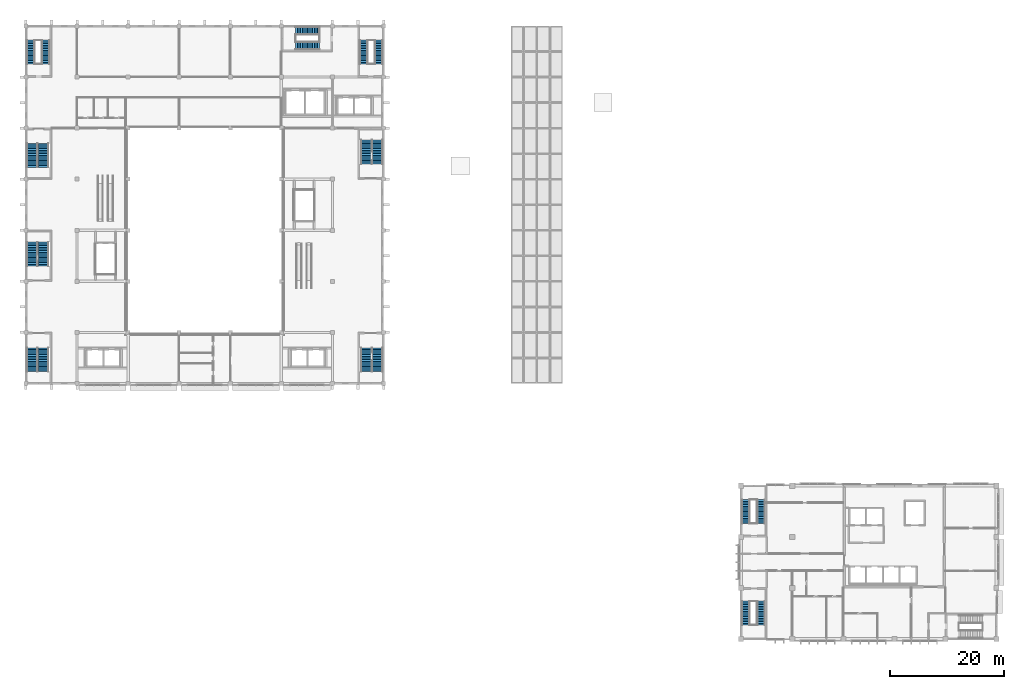
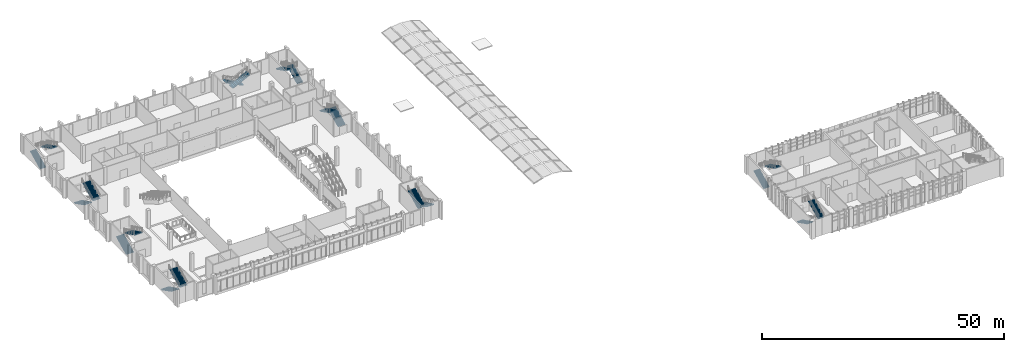
# One storey, part 34 of 45: 20 stair flights, 10 elements without a shape of their own.
"""IFC4 building model written with IfcOpenShell, lengths in metres."""

from ifc_helpers import new_model, si_unit, direction, frame, origin, place, context, subcontext, project, spatial, polyline, outline, extrude, material, type_object, element, aggregate, save


model = new_model("IFC4")

# Units and contexts
model_context = context("Model", 3, precision=1e-05, world=origin(), true_north=direction((0.0, 1.0)))
body_context = subcontext(model_context, "Body", "Model", "MODEL_VIEW")
ifc_project = project(units=[si_unit("LENGTHUNIT", "METRE"), si_unit("AREAUNIT", "SQUARE_METRE"), si_unit("VOLUMEUNIT", "CUBIC_METRE"), si_unit("PLANEANGLEUNIT", "RADIAN"), si_unit("MASSUNIT", "GRAM", prefix="KILO")], contexts=[model_context])

# Site, building, storey
site_placement = place(None, origin())
site = spatial("IfcSite", under=ifc_project, at=site_placement, CompositionType="ELEMENT")
building_placement = place(site_placement, origin())
building = spatial("IfcBuilding", under=site, at=building_placement, Name="Guidao Yard Department Store", CompositionType="ELEMENT")
storey_placement = place(building_placement, frame((0.0, 0.0, 19.5)))
storey = spatial("IfcBuildingStorey", under=building, at=storey_placement, Name="L04", CompositionType="ELEMENT", Elevation=19.5)

# Stair, stair flights
ifc_material_1 = material(Name="Concrete C35", Category="concrete")
stair_type_1 = type_object("IfcStairType", Name="Stair half-turn two-flight 1400 wide 4.5 m rise", PredefinedType="HALF_TURN_STAIR", material=ifc_material_1)
stair_1_placement = place(storey_placement, origin())
stair_1 = element("IfcStair", 1, at=stair_1_placement, inside=storey, type_object=stair_type_1, Name="Stair A5 L04 to L05", PredefinedType="HALF_TURN_STAIR")
ifc_material_2 = material(Name="Concrete C35", Category="concrete")
stair_flight_type_1 = type_object("IfcStairFlightType", Name="Stair flight RC straight 1400 wide 15 risers x 300 going C35", PredefinedType="STRAIGHT", material=ifc_material_2)
stair_flight_1_placement = place(storey_placement, frame((0.824951171875, 101.300048828125, 0.0), z_axis=(0.0, 0.0, 1.0), x_axis=(0.0, 1.0, 0.0)))
stair_flight_1 = element("IfcStairFlight", 2, at=stair_flight_1_placement, type_object=stair_flight_type_1, Name="SA5-L04 flight 1", NumberOfRisers=15, NumberOfTreads=14, PredefinedType="STRAIGHT", RiserHeight=0.15, TreadLength=0.3, context=body_context, shape_type="SweptSolid", body=[
    extrude(outline(polyline([(0.0, 0.0), (0.0, 0.14990234375), (0.300048828125, 0.14990234375), (0.300048828125, 0.300048828125), (0.60009765625, 0.300048828125), (0.60009765625, 0.449951171875), (0.89990234375, 0.449951171875), (0.89990234375, 0.60009765625), (1.199951171875, 0.60009765625), (1.199951171875, 0.75), (1.5, 0.75), (1.5, 0.89990234375), (1.800048828125, 0.89990234375), (1.800048828125, 1.050048828125), (2.10009765625, 1.050048828125), (2.10009765625, 1.199951171875), (2.39990234375, 1.199951171875), (2.39990234375, 1.35009765625), (2.699951171875, 1.35009765625), (2.699951171875, 1.5), (3.0, 1.5), (3.0, 1.64990234375), (3.300048828125, 1.64990234375), (3.300048828125, 1.800048828125), (3.60009765625, 1.800048828125), (3.60009765625, 1.949951171875), (3.89990234375, 1.949951171875), (3.89990234375, 2.10009765625), (4.199951171875, 2.10009765625), (4.199951171875, 2.25), (4.199951171875, 1.932373046875), (0.335205078125, 0.0), (0.0, 0.0)])), frame((0.0, 0.699951171875, 0.0), z_axis=(0.0, -1.0, 0.0), x_axis=(1.0, 0.0, 0.0)), (0.0, 0.0, 1.0), 1.39990234375),
])
stair_flight_2_placement = place(storey_placement, frame((3.5, 105.5, 2.25), z_axis=(0.0, 0.0, 1.0), x_axis=(0.0, -1.0, 0.0)))
stair_flight_2 = element("IfcStairFlight", 3, at=stair_flight_2_placement, type_object=stair_flight_type_1, Name="SA5-L04 flight 2", NumberOfRisers=15, NumberOfTreads=14, PredefinedType="STRAIGHT", RiserHeight=0.15, TreadLength=0.3, context=body_context, shape_type="SweptSolid", body=[
    extrude(outline(polyline([(0.0, 0.0), (0.0, 0.14990234375), (0.300048828125, 0.14990234375), (0.300048828125, 0.300048828125), (0.60009765625, 0.300048828125), (0.60009765625, 0.449951171875), (0.89990234375, 0.449951171875), (0.89990234375, 0.60009765625), (1.199951171875, 0.60009765625), (1.199951171875, 0.75), (1.5, 0.75), (1.5, 0.89990234375), (1.800048828125, 0.89990234375), (1.800048828125, 1.050048828125), (2.10009765625, 1.050048828125), (2.10009765625, 1.199951171875), (2.39990234375, 1.199951171875), (2.39990234375, 1.35009765625), (2.699951171875, 1.35009765625), (2.699951171875, 1.5), (3.0, 1.5), (3.0, 1.64990234375), (3.300048828125, 1.64990234375), (3.300048828125, 1.800048828125), (3.60009765625, 1.800048828125), (3.60009765625, 1.949951171875), (3.89990234375, 1.949951171875), (3.89990234375, 2.10009765625), (4.199951171875, 2.10009765625), (4.199951171875, 2.25), (4.199951171875, 1.932373046875), (0.335205078125, 0.0), (0.0, 0.0)])), frame((0.0, 0.699951171875, 0.0), z_axis=(0.0, -1.0, 0.0), x_axis=(1.0, 0.0, 0.0)), (0.0, 0.0, 1.0), 1.39990234375),
])
aggregate(stair_1, [stair_flight_1, stair_flight_2])

stair_2_placement = place(storey_placement, origin())
stair_2 = element("IfcStair", 4, at=stair_2_placement, inside=storey, type_object=stair_type_1, Name="Stair A6 L04 to L05", PredefinedType="HALF_TURN_STAIR")
stair_flight_3_placement = place(storey_placement, frame((62.175048828125, 101.300048828125, 0.0), z_axis=(0.0, 0.0, 1.0), x_axis=(0.0, 1.0, 0.0)))
stair_flight_3 = element("IfcStairFlight", 5, at=stair_flight_3_placement, type_object=stair_flight_type_1, Name="SA6-L04 flight 1", NumberOfRisers=15, NumberOfTreads=14, PredefinedType="STRAIGHT", RiserHeight=0.15, TreadLength=0.3, context=body_context, shape_type="SweptSolid", body=[
    extrude(outline(polyline([(0.0, 0.0), (0.0, 0.14990234375), (0.300048828125, 0.14990234375), (0.300048828125, 0.300048828125), (0.60009765625, 0.300048828125), (0.60009765625, 0.449951171875), (0.89990234375, 0.449951171875), (0.89990234375, 0.60009765625), (1.199951171875, 0.60009765625), (1.199951171875, 0.75), (1.5, 0.75), (1.5, 0.89990234375), (1.800048828125, 0.89990234375), (1.800048828125, 1.050048828125), (2.10009765625, 1.050048828125), (2.10009765625, 1.199951171875), (2.39990234375, 1.199951171875), (2.39990234375, 1.35009765625), (2.699951171875, 1.35009765625), (2.699951171875, 1.5), (3.0, 1.5), (3.0, 1.64990234375), (3.300048828125, 1.64990234375), (3.300048828125, 1.800048828125), (3.60009765625, 1.800048828125), (3.60009765625, 1.949951171875), (3.89990234375, 1.949951171875), (3.89990234375, 2.10009765625), (4.199951171875, 2.10009765625), (4.199951171875, 2.25), (4.199951171875, 1.932373046875), (0.335205078125, 0.0), (0.0, 0.0)])), frame((0.0, 0.699951171875, 0.0), z_axis=(0.0, -1.0, 0.0), x_axis=(1.0, 0.0, 0.0)), (0.0, 0.0, 1.0), 1.39990234375),
])
stair_flight_4_placement = place(storey_placement, frame((59.5, 105.5, 2.25), z_axis=(0.0, 0.0, 1.0), x_axis=(0.0, -1.0, 0.0)))
stair_flight_4 = element("IfcStairFlight", 6, at=stair_flight_4_placement, type_object=stair_flight_type_1, Name="SA6-L04 flight 2", NumberOfRisers=15, NumberOfTreads=14, PredefinedType="STRAIGHT", RiserHeight=0.15, TreadLength=0.3, context=body_context, shape_type="SweptSolid", body=[
    extrude(outline(polyline([(0.0, 0.0), (0.0, 0.14990234375), (0.300048828125, 0.14990234375), (0.300048828125, 0.300048828125), (0.60009765625, 0.300048828125), (0.60009765625, 0.449951171875), (0.89990234375, 0.449951171875), (0.89990234375, 0.60009765625), (1.199951171875, 0.60009765625), (1.199951171875, 0.75), (1.5, 0.75), (1.5, 0.89990234375), (1.800048828125, 0.89990234375), (1.800048828125, 1.050048828125), (2.10009765625, 1.050048828125), (2.10009765625, 1.199951171875), (2.39990234375, 1.199951171875), (2.39990234375, 1.35009765625), (2.699951171875, 1.35009765625), (2.699951171875, 1.5), (3.0, 1.5), (3.0, 1.64990234375), (3.300048828125, 1.64990234375), (3.300048828125, 1.800048828125), (3.60009765625, 1.800048828125), (3.60009765625, 1.949951171875), (3.89990234375, 1.949951171875), (3.89990234375, 2.10009765625), (4.199951171875, 2.10009765625), (4.199951171875, 2.25), (4.199951171875, 1.932373046875), (0.335205078125, 0.0), (0.0, 0.0)])), frame((0.0, 0.699951171875, 0.0), z_axis=(0.0, -1.0, 0.0), x_axis=(1.0, 0.0, 0.0)), (0.0, 0.0, 1.0), 1.39990234375),
])
aggregate(stair_2, [stair_flight_3, stair_flight_4])

stair_3_placement = place(storey_placement, origin())
stair_3 = element("IfcStair", 7, at=stair_3_placement, inside=storey, type_object=stair_type_1, Name="Stair A7 L04 to L05", PredefinedType="HALF_TURN_STAIR")
stair_flight_5_placement = place(storey_placement, frame((51.699951171875, 107.175048828125, 0.0), z_axis=(0.0, 0.0, 1.0), x_axis=(-1.0, 0.0, 0.0)))
stair_flight_5 = element("IfcStairFlight", 8, at=stair_flight_5_placement, type_object=stair_flight_type_1, Name="SA7-L04 flight 1", NumberOfRisers=15, NumberOfTreads=14, PredefinedType="STRAIGHT", RiserHeight=0.15, TreadLength=0.3, context=body_context, shape_type="SweptSolid", body=[
    extrude(outline(polyline([(0.0, 0.0), (0.0, 0.14990234375), (0.300048828125, 0.14990234375), (0.300048828125, 0.300048828125), (0.60009765625, 0.300048828125), (0.60009765625, 0.449951171875), (0.89990234375, 0.449951171875), (0.89990234375, 0.60009765625), (1.199951171875, 0.60009765625), (1.199951171875, 0.75), (1.5, 0.75), (1.5, 0.89990234375), (1.800048828125, 0.89990234375), (1.800048828125, 1.050048828125), (2.10009765625, 1.050048828125), (2.10009765625, 1.199951171875), (2.39990234375, 1.199951171875), (2.39990234375, 1.35009765625), (2.699951171875, 1.35009765625), (2.699951171875, 1.5), (3.0, 1.5), (3.0, 1.64990234375), (3.300048828125, 1.64990234375), (3.300048828125, 1.800048828125), (3.60009765625, 1.800048828125), (3.60009765625, 1.949951171875), (3.89990234375, 1.949951171875), (3.89990234375, 2.10009765625), (4.199951171875, 2.10009765625), (4.199951171875, 2.25), (4.199951171875, 1.932373046875), (0.335205078125, 0.0), (0.0, 0.0)])), frame((0.0, 0.699951171875, 0.0), z_axis=(0.0, -1.0, 0.0), x_axis=(1.0, 0.0, 0.0)), (0.0, 0.0, 1.0), 1.39990234375),
])
stair_flight_6_placement = place(storey_placement, frame((47.5, 104.5, 2.25), z_axis=(0.0, 0.0, 1.0), x_axis=(1.0, 0.0, 0.0)))
stair_flight_6 = element("IfcStairFlight", 9, at=stair_flight_6_placement, type_object=stair_flight_type_1, Name="SA7-L04 flight 2", NumberOfRisers=15, NumberOfTreads=14, PredefinedType="STRAIGHT", RiserHeight=0.15, TreadLength=0.3, context=body_context, shape_type="SweptSolid", body=[
    extrude(outline(polyline([(0.0, 0.0), (0.0, 0.14990234375), (0.300048828125, 0.14990234375), (0.300048828125, 0.300048828125), (0.60009765625, 0.300048828125), (0.60009765625, 0.449951171875), (0.89990234375, 0.449951171875), (0.89990234375, 0.60009765625), (1.199951171875, 0.60009765625), (1.199951171875, 0.75), (1.5, 0.75), (1.5, 0.89990234375), (1.800048828125, 0.89990234375), (1.800048828125, 1.050048828125), (2.10009765625, 1.050048828125), (2.10009765625, 1.199951171875), (2.39990234375, 1.199951171875), (2.39990234375, 1.35009765625), (2.699951171875, 1.35009765625), (2.699951171875, 1.5), (3.0, 1.5), (3.0, 1.64990234375), (3.300048828125, 1.64990234375), (3.300048828125, 1.800048828125), (3.60009765625, 1.800048828125), (3.60009765625, 1.949951171875), (3.89990234375, 1.949951171875), (3.89990234375, 2.10009765625), (4.199951171875, 2.10009765625), (4.199951171875, 2.25), (4.199951171875, 1.932373046875), (0.335205078125, 0.0), (0.0, 0.0)])), frame((0.0, 0.699951171875, 0.0), z_axis=(0.0, -1.0, 0.0), x_axis=(1.0, 0.0, 0.0)), (0.0, 0.0, 1.0), 1.39990234375),
])
aggregate(stair_3, [stair_flight_5, stair_flight_6])

stair_4_placement = place(storey_placement, origin())
stair_4 = element("IfcStair", 10, at=stair_4_placement, inside=storey, type_object=stair_type_1, Name="Stair O1 L04 to L05", PredefinedType="HALF_TURN_STAIR")
stair_flight_7_placement = place(storey_placement, frame((126.824951171875, 6.64990234375, 0.0), z_axis=(0.0, 0.0, 1.0), x_axis=(0.0, -1.0, 0.0)))
stair_flight_7 = element("IfcStairFlight", 11, at=stair_flight_7_placement, type_object=stair_flight_type_1, Name="SO1-L04 flight 1", NumberOfRisers=15, NumberOfTreads=14, PredefinedType="STRAIGHT", RiserHeight=0.15, TreadLength=0.3, context=body_context, shape_type="SweptSolid", body=[
    extrude(outline(polyline([(0.0, 0.0), (0.0, 0.14990234375), (0.300048828125, 0.14990234375), (0.300048828125, 0.300048828125), (0.60009765625, 0.300048828125), (0.60009765625, 0.449951171875), (0.89990234375, 0.449951171875), (0.89990234375, 0.60009765625), (1.199951171875, 0.60009765625), (1.199951171875, 0.75), (1.5, 0.75), (1.5, 0.89990234375), (1.800048828125, 0.89990234375), (1.800048828125, 1.050048828125), (2.10009765625, 1.050048828125), (2.10009765625, 1.199951171875), (2.39990234375, 1.199951171875), (2.39990234375, 1.35009765625), (2.699951171875, 1.35009765625), (2.699951171875, 1.5), (3.0, 1.5), (3.0, 1.64990234375), (3.300048828125, 1.64990234375), (3.300048828125, 1.800048828125), (3.60009765625, 1.800048828125), (3.60009765625, 1.949951171875), (3.89990234375, 1.949951171875), (3.89990234375, 2.10009765625), (4.199951171875, 2.10009765625), (4.199951171875, 2.25), (4.199951171875, 1.932373046875), (0.335205078125, 0.0), (0.0, 0.0)])), frame((0.0, 0.699951171875, 0.0), z_axis=(0.0, -1.0, 0.0), x_axis=(1.0, 0.0, 0.0)), (0.0, 0.0, 1.0), 1.39990234375),
])
stair_flight_8_placement = place(storey_placement, frame((129.5, 2.449951171875, 2.25), z_axis=(0.0, 0.0, 1.0), x_axis=(0.0, 1.0, 0.0)))
stair_flight_8 = element("IfcStairFlight", 12, at=stair_flight_8_placement, type_object=stair_flight_type_1, Name="SO1-L04 flight 2", NumberOfRisers=15, NumberOfTreads=14, PredefinedType="STRAIGHT", RiserHeight=0.15, TreadLength=0.3, context=body_context, shape_type="SweptSolid", body=[
    extrude(outline(polyline([(0.0, 0.0), (0.0, 0.14990234375), (0.300048828125, 0.14990234375), (0.300048828125, 0.300048828125), (0.60009765625, 0.300048828125), (0.60009765625, 0.449951171875), (0.89990234375, 0.449951171875), (0.89990234375, 0.60009765625), (1.199951171875, 0.60009765625), (1.199951171875, 0.75), (1.5, 0.75), (1.5, 0.89990234375), (1.800048828125, 0.89990234375), (1.800048828125, 1.050048828125), (2.10009765625, 1.050048828125), (2.10009765625, 1.199951171875), (2.39990234375, 1.199951171875), (2.39990234375, 1.35009765625), (2.699951171875, 1.35009765625), (2.699951171875, 1.5), (3.0, 1.5), (3.0, 1.64990234375), (3.300048828125, 1.64990234375), (3.300048828125, 1.800048828125), (3.60009765625, 1.800048828125), (3.60009765625, 1.949951171875), (3.89990234375, 1.949951171875), (3.89990234375, 2.10009765625), (4.199951171875, 2.10009765625), (4.199951171875, 2.25), (4.199951171875, 1.932373046875), (0.335205078125, 0.0), (0.0, 0.0)])), frame((0.0, 0.699951171875, 0.0), z_axis=(0.0, -1.0, 0.0), x_axis=(1.0, 0.0, 0.0)), (0.0, 0.0, 1.0), 1.39990234375),
])
aggregate(stair_4, [stair_flight_7, stair_flight_8])

stair_5_placement = place(storey_placement, origin())
stair_5 = element("IfcStair", 13, at=stair_5_placement, inside=storey, type_object=stair_type_1, Name="Stair O3 L04 to L05", PredefinedType="HALF_TURN_STAIR")
stair_flight_9_placement = place(storey_placement, frame((126.824951171875, 20.35009765625, 0.0), z_axis=(0.0, 0.0, 1.0), x_axis=(0.0, 1.0, 0.0)))
stair_flight_9 = element("IfcStairFlight", 14, at=stair_flight_9_placement, type_object=stair_flight_type_1, Name="SO3-L04 flight 1", NumberOfRisers=15, NumberOfTreads=14, PredefinedType="STRAIGHT", RiserHeight=0.15, TreadLength=0.3, context=body_context, shape_type="SweptSolid", body=[
    extrude(outline(polyline([(0.0, 0.0), (0.0, 0.14990234375), (0.300048828125, 0.14990234375), (0.300048828125, 0.300048828125), (0.60009765625, 0.300048828125), (0.60009765625, 0.449951171875), (0.89990234375, 0.449951171875), (0.89990234375, 0.60009765625), (1.199951171875, 0.60009765625), (1.199951171875, 0.75), (1.5, 0.75), (1.5, 0.89990234375), (1.800048828125, 0.89990234375), (1.800048828125, 1.050048828125), (2.10009765625, 1.050048828125), (2.10009765625, 1.199951171875), (2.39990234375, 1.199951171875), (2.39990234375, 1.35009765625), (2.699951171875, 1.35009765625), (2.699951171875, 1.5), (3.0, 1.5), (3.0, 1.64990234375), (3.300048828125, 1.64990234375), (3.300048828125, 1.800048828125), (3.60009765625, 1.800048828125), (3.60009765625, 1.949951171875), (3.89990234375, 1.949951171875), (3.89990234375, 2.10009765625), (4.199951171875, 2.10009765625), (4.199951171875, 2.25), (4.199951171875, 1.932373046875), (0.335205078125, 0.0), (0.0, 0.0)])), frame((0.0, 0.699951171875, 0.0), z_axis=(0.0, -1.0, 0.0), x_axis=(1.0, 0.0, 0.0)), (0.0, 0.0, 1.0), 1.39990234375),
])
stair_flight_10_placement = place(storey_placement, frame((129.5, 24.550048828125, 2.25), z_axis=(0.0, 0.0, 1.0), x_axis=(0.0, -1.0, 0.0)))
stair_flight_10 = element("IfcStairFlight", 15, at=stair_flight_10_placement, type_object=stair_flight_type_1, Name="SO3-L04 flight 2", NumberOfRisers=15, NumberOfTreads=14, PredefinedType="STRAIGHT", RiserHeight=0.15, TreadLength=0.3, context=body_context, shape_type="SweptSolid", body=[
    extrude(outline(polyline([(0.0, 0.0), (0.0, 0.14990234375), (0.300048828125, 0.14990234375), (0.300048828125, 0.300048828125), (0.60009765625, 0.300048828125), (0.60009765625, 0.449951171875), (0.89990234375, 0.449951171875), (0.89990234375, 0.60009765625), (1.199951171875, 0.60009765625), (1.199951171875, 0.75), (1.5, 0.75), (1.5, 0.89990234375), (1.800048828125, 0.89990234375), (1.800048828125, 1.050048828125), (2.10009765625, 1.050048828125), (2.10009765625, 1.199951171875), (2.39990234375, 1.199951171875), (2.39990234375, 1.35009765625), (2.699951171875, 1.35009765625), (2.699951171875, 1.5), (3.0, 1.5), (3.0, 1.64990234375), (3.300048828125, 1.64990234375), (3.300048828125, 1.800048828125), (3.60009765625, 1.800048828125), (3.60009765625, 1.949951171875), (3.89990234375, 1.949951171875), (3.89990234375, 2.10009765625), (4.199951171875, 2.10009765625), (4.199951171875, 2.25), (4.199951171875, 1.932373046875), (0.335205078125, 0.0), (0.0, 0.0)])), frame((0.0, 0.699951171875, 0.0), z_axis=(0.0, -1.0, 0.0), x_axis=(1.0, 0.0, 0.0)), (0.0, 0.0, 1.0), 1.39990234375),
])
aggregate(stair_5, [stair_flight_9, stair_flight_10])

ifc_material_3 = material(Name="Concrete C35", Category="concrete")
stair_type_2 = type_object("IfcStairType", Name="Stair half-turn two-flight 1800 wide 4.5 m rise", PredefinedType="HALF_TURN_STAIR", material=ifc_material_3)
stair_6_placement = place(storey_placement, origin())
stair_6 = element("IfcStair", 16, at=stair_6_placement, inside=storey, type_object=stair_type_2, Name="Stair A1 L04 to L05", PredefinedType="HALF_TURN_STAIR")
ifc_material_4 = material(Name="Concrete C35", Category="concrete")
stair_flight_type_2 = type_object("IfcStairFlightType", Name="Stair flight RC straight 1800 wide 15 risers x 300 going C35", PredefinedType="STRAIGHT", material=ifc_material_4)
stair_flight_11_placement = place(storey_placement, frame((1.02490234375, 65.699951171875, 0.0), z_axis=(0.0, 0.0, 1.0), x_axis=(0.0, 1.0, 0.0)))
stair_flight_11 = element("IfcStairFlight", 17, at=stair_flight_11_placement, type_object=stair_flight_type_2, Name="SA1-L04 flight 1", NumberOfRisers=15, NumberOfTreads=14, PredefinedType="STRAIGHT", RiserHeight=0.15, TreadLength=0.3, context=body_context, shape_type="SweptSolid", body=[
    extrude(outline(polyline([(0.0, 0.0), (0.0, 0.14990234375), (0.300048828125, 0.14990234375), (0.300048828125, 0.300048828125), (0.60009765625, 0.300048828125), (0.60009765625, 0.449951171875), (0.89990234375, 0.449951171875), (0.89990234375, 0.60009765625), (1.199951171875, 0.60009765625), (1.199951171875, 0.75), (1.5, 0.75), (1.5, 0.89990234375), (1.800048828125, 0.89990234375), (1.800048828125, 1.050048828125), (2.10009765625, 1.050048828125), (2.10009765625, 1.199951171875), (2.39990234375, 1.199951171875), (2.39990234375, 1.35009765625), (2.699951171875, 1.35009765625), (2.699951171875, 1.5), (3.0, 1.5), (3.0, 1.64990234375), (3.300048828125, 1.64990234375), (3.300048828125, 1.800048828125), (3.60009765625, 1.800048828125), (3.60009765625, 1.949951171875), (3.89990234375, 1.949951171875), (3.89990234375, 2.10009765625), (4.199951171875, 2.10009765625), (4.199951171875, 2.25), (4.199951171875, 1.932373046875), (0.335205078125, 0.0), (0.0, 0.0)])), frame((0.0, 0.89990234375, 0.0), z_axis=(0.0, -1.0, 0.0), x_axis=(1.0, 0.0, 0.0)), (0.0, 0.0, 1.0), 1.800048828125),
])
stair_flight_12_placement = place(storey_placement, frame((3.074951171875, 69.89990234375, 2.25), z_axis=(0.0, 0.0, 1.0), x_axis=(0.0, -1.0, 0.0)))
stair_flight_12 = element("IfcStairFlight", 18, at=stair_flight_12_placement, type_object=stair_flight_type_2, Name="SA1-L04 flight 2", NumberOfRisers=15, NumberOfTreads=14, PredefinedType="STRAIGHT", RiserHeight=0.15, TreadLength=0.3, context=body_context, shape_type="SweptSolid", body=[
    extrude(outline(polyline([(0.0, 0.0), (0.0, 0.14990234375), (0.300048828125, 0.14990234375), (0.300048828125, 0.300048828125), (0.60009765625, 0.300048828125), (0.60009765625, 0.449951171875), (0.89990234375, 0.449951171875), (0.89990234375, 0.60009765625), (1.199951171875, 0.60009765625), (1.199951171875, 0.75), (1.5, 0.75), (1.5, 0.89990234375), (1.800048828125, 0.89990234375), (1.800048828125, 1.050048828125), (2.10009765625, 1.050048828125), (2.10009765625, 1.199951171875), (2.39990234375, 1.199951171875), (2.39990234375, 1.35009765625), (2.699951171875, 1.35009765625), (2.699951171875, 1.5), (3.0, 1.5), (3.0, 1.64990234375), (3.300048828125, 1.64990234375), (3.300048828125, 1.800048828125), (3.60009765625, 1.800048828125), (3.60009765625, 1.949951171875), (3.89990234375, 1.949951171875), (3.89990234375, 2.10009765625), (4.199951171875, 2.10009765625), (4.199951171875, 2.25), (4.199951171875, 1.932373046875), (0.335205078125, 0.0), (0.0, 0.0)])), frame((0.0, 0.89990234375, 0.0), z_axis=(0.0, -1.0, 0.0), x_axis=(1.0, 0.0, 0.0)), (0.0, 0.0, 1.0), 1.800048828125),
])
aggregate(stair_6, [stair_flight_11, stair_flight_12])

stair_7_placement = place(storey_placement, origin())
stair_7 = element("IfcStair", 19, at=stair_7_placement, inside=storey, type_object=stair_type_2, Name="Stair A2 L04 to L05", PredefinedType="HALF_TURN_STAIR")
stair_flight_13_placement = place(storey_placement, frame((61.97509765625, 51.300048828125, 0.0), z_axis=(0.0, 0.0, 1.0), x_axis=(0.0, -1.0, 0.0)))
stair_flight_13 = element("IfcStairFlight", 20, at=stair_flight_13_placement, type_object=stair_flight_type_2, Name="SA2-L04 flight 1", NumberOfRisers=15, NumberOfTreads=14, PredefinedType="STRAIGHT", RiserHeight=0.15, TreadLength=0.3, context=body_context, shape_type="SweptSolid", body=[
    extrude(outline(polyline([(0.0, 0.0), (0.0, 0.14990234375), (0.300048828125, 0.14990234375), (0.300048828125, 0.300048828125), (0.60009765625, 0.300048828125), (0.60009765625, 0.449951171875), (0.89990234375, 0.449951171875), (0.89990234375, 0.60009765625), (1.199951171875, 0.60009765625), (1.199951171875, 0.75), (1.5, 0.75), (1.5, 0.89990234375), (1.800048828125, 0.89990234375), (1.800048828125, 1.050048828125), (2.10009765625, 1.050048828125), (2.10009765625, 1.199951171875), (2.39990234375, 1.199951171875), (2.39990234375, 1.35009765625), (2.699951171875, 1.35009765625), (2.699951171875, 1.5), (3.0, 1.5), (3.0, 1.64990234375), (3.300048828125, 1.64990234375), (3.300048828125, 1.800048828125), (3.60009765625, 1.800048828125), (3.60009765625, 1.949951171875), (3.89990234375, 1.949951171875), (3.89990234375, 2.10009765625), (4.199951171875, 2.10009765625), (4.199951171875, 2.25), (4.199951171875, 1.932373046875), (0.335205078125, 0.0), (0.0, 0.0)])), frame((0.0, 0.89990234375, 0.0), z_axis=(0.0, -1.0, 0.0), x_axis=(1.0, 0.0, 0.0)), (0.0, 0.0, 1.0), 1.800048828125),
])
stair_flight_14_placement = place(storey_placement, frame((59.925048828125, 47.10009765625, 2.25), z_axis=(0.0, 0.0, 1.0), x_axis=(0.0, 1.0, 0.0)))
stair_flight_14 = element("IfcStairFlight", 21, at=stair_flight_14_placement, type_object=stair_flight_type_2, Name="SA2-L04 flight 2", NumberOfRisers=15, NumberOfTreads=14, PredefinedType="STRAIGHT", RiserHeight=0.15, TreadLength=0.3, context=body_context, shape_type="SweptSolid", body=[
    extrude(outline(polyline([(0.0, 0.0), (0.0, 0.14990234375), (0.300048828125, 0.14990234375), (0.300048828125, 0.300048828125), (0.60009765625, 0.300048828125), (0.60009765625, 0.449951171875), (0.89990234375, 0.449951171875), (0.89990234375, 0.60009765625), (1.199951171875, 0.60009765625), (1.199951171875, 0.75), (1.5, 0.75), (1.5, 0.89990234375), (1.800048828125, 0.89990234375), (1.800048828125, 1.050048828125), (2.10009765625, 1.050048828125), (2.10009765625, 1.199951171875), (2.39990234375, 1.199951171875), (2.39990234375, 1.35009765625), (2.699951171875, 1.35009765625), (2.699951171875, 1.5), (3.0, 1.5), (3.0, 1.64990234375), (3.300048828125, 1.64990234375), (3.300048828125, 1.800048828125), (3.60009765625, 1.800048828125), (3.60009765625, 1.949951171875), (3.89990234375, 1.949951171875), (3.89990234375, 2.10009765625), (4.199951171875, 2.10009765625), (4.199951171875, 2.25), (4.199951171875, 1.932373046875), (0.335205078125, 0.0), (0.0, 0.0)])), frame((0.0, 0.89990234375, 0.0), z_axis=(0.0, -1.0, 0.0), x_axis=(1.0, 0.0, 0.0)), (0.0, 0.0, 1.0), 1.800048828125),
])
aggregate(stair_7, [stair_flight_13, stair_flight_14])

stair_8_placement = place(storey_placement, origin())
stair_8 = element("IfcStair", 22, at=stair_8_placement, inside=storey, type_object=stair_type_2, Name="Stair A3 L04 to L05", PredefinedType="HALF_TURN_STAIR")
stair_flight_15_placement = place(storey_placement, frame((1.02490234375, 87.300048828125, 0.0), z_axis=(0.0, 0.0, 1.0), x_axis=(0.0, -1.0, 0.0)))
stair_flight_15 = element("IfcStairFlight", 23, at=stair_flight_15_placement, type_object=stair_flight_type_2, Name="SA3-L04 flight 1", NumberOfRisers=15, NumberOfTreads=14, PredefinedType="STRAIGHT", RiserHeight=0.15, TreadLength=0.3, context=body_context, shape_type="SweptSolid", body=[
    extrude(outline(polyline([(0.0, 0.0), (0.0, 0.14990234375), (0.300048828125, 0.14990234375), (0.300048828125, 0.300048828125), (0.60009765625, 0.300048828125), (0.60009765625, 0.449951171875), (0.89990234375, 0.449951171875), (0.89990234375, 0.60009765625), (1.199951171875, 0.60009765625), (1.199951171875, 0.75), (1.5, 0.75), (1.5, 0.89990234375), (1.800048828125, 0.89990234375), (1.800048828125, 1.050048828125), (2.10009765625, 1.050048828125), (2.10009765625, 1.199951171875), (2.39990234375, 1.199951171875), (2.39990234375, 1.35009765625), (2.699951171875, 1.35009765625), (2.699951171875, 1.5), (3.0, 1.5), (3.0, 1.64990234375), (3.300048828125, 1.64990234375), (3.300048828125, 1.800048828125), (3.60009765625, 1.800048828125), (3.60009765625, 1.949951171875), (3.89990234375, 1.949951171875), (3.89990234375, 2.10009765625), (4.199951171875, 2.10009765625), (4.199951171875, 2.25), (4.199951171875, 1.932373046875), (0.335205078125, 0.0), (0.0, 0.0)])), frame((0.0, 0.89990234375, 0.0), z_axis=(0.0, -1.0, 0.0), x_axis=(1.0, 0.0, 0.0)), (0.0, 0.0, 1.0), 1.800048828125),
])
stair_flight_16_placement = place(storey_placement, frame((3.074951171875, 83.10009765625, 2.25), z_axis=(0.0, 0.0, 1.0), x_axis=(0.0, 1.0, 0.0)))
stair_flight_16 = element("IfcStairFlight", 24, at=stair_flight_16_placement, type_object=stair_flight_type_2, Name="SA3-L04 flight 2", NumberOfRisers=15, NumberOfTreads=14, PredefinedType="STRAIGHT", RiserHeight=0.15, TreadLength=0.3, context=body_context, shape_type="SweptSolid", body=[
    extrude(outline(polyline([(0.0, 0.0), (0.0, 0.14990234375), (0.300048828125, 0.14990234375), (0.300048828125, 0.300048828125), (0.60009765625, 0.300048828125), (0.60009765625, 0.449951171875), (0.89990234375, 0.449951171875), (0.89990234375, 0.60009765625), (1.199951171875, 0.60009765625), (1.199951171875, 0.75), (1.5, 0.75), (1.5, 0.89990234375), (1.800048828125, 0.89990234375), (1.800048828125, 1.050048828125), (2.10009765625, 1.050048828125), (2.10009765625, 1.199951171875), (2.39990234375, 1.199951171875), (2.39990234375, 1.35009765625), (2.699951171875, 1.35009765625), (2.699951171875, 1.5), (3.0, 1.5), (3.0, 1.64990234375), (3.300048828125, 1.64990234375), (3.300048828125, 1.800048828125), (3.60009765625, 1.800048828125), (3.60009765625, 1.949951171875), (3.89990234375, 1.949951171875), (3.89990234375, 2.10009765625), (4.199951171875, 2.10009765625), (4.199951171875, 2.25), (4.199951171875, 1.932373046875), (0.335205078125, 0.0), (0.0, 0.0)])), frame((0.0, 0.89990234375, 0.0), z_axis=(0.0, -1.0, 0.0), x_axis=(1.0, 0.0, 0.0)), (0.0, 0.0, 1.0), 1.800048828125),
])
aggregate(stair_8, [stair_flight_15, stair_flight_16])

stair_9_placement = place(storey_placement, origin())
stair_9 = element("IfcStair", 25, at=stair_9_placement, inside=storey, type_object=stair_type_2, Name="Stair A4 L04 to L05", PredefinedType="HALF_TURN_STAIR")
stair_flight_17_placement = place(storey_placement, frame((61.97509765625, 83.699951171875, 0.0), z_axis=(0.0, 0.0, 1.0), x_axis=(0.0, 1.0, 0.0)))
stair_flight_17 = element("IfcStairFlight", 26, at=stair_flight_17_placement, type_object=stair_flight_type_2, Name="SA4-L04 flight 1", NumberOfRisers=15, NumberOfTreads=14, PredefinedType="STRAIGHT", RiserHeight=0.15, TreadLength=0.3, context=body_context, shape_type="SweptSolid", body=[
    extrude(outline(polyline([(0.0, 0.0), (0.0, 0.14990234375), (0.300048828125, 0.14990234375), (0.300048828125, 0.300048828125), (0.60009765625, 0.300048828125), (0.60009765625, 0.449951171875), (0.89990234375, 0.449951171875), (0.89990234375, 0.60009765625), (1.199951171875, 0.60009765625), (1.199951171875, 0.75), (1.5, 0.75), (1.5, 0.89990234375), (1.800048828125, 0.89990234375), (1.800048828125, 1.050048828125), (2.10009765625, 1.050048828125), (2.10009765625, 1.199951171875), (2.39990234375, 1.199951171875), (2.39990234375, 1.35009765625), (2.699951171875, 1.35009765625), (2.699951171875, 1.5), (3.0, 1.5), (3.0, 1.64990234375), (3.300048828125, 1.64990234375), (3.300048828125, 1.800048828125), (3.60009765625, 1.800048828125), (3.60009765625, 1.949951171875), (3.89990234375, 1.949951171875), (3.89990234375, 2.10009765625), (4.199951171875, 2.10009765625), (4.199951171875, 2.25), (4.199951171875, 1.932373046875), (0.335205078125, 0.0), (0.0, 0.0)])), frame((0.0, 0.89990234375, 0.0), z_axis=(0.0, -1.0, 0.0), x_axis=(1.0, 0.0, 0.0)), (0.0, 0.0, 1.0), 1.800048828125),
])
stair_flight_18_placement = place(storey_placement, frame((59.925048828125, 87.89990234375, 2.25), z_axis=(0.0, 0.0, 1.0), x_axis=(0.0, -1.0, 0.0)))
stair_flight_18 = element("IfcStairFlight", 27, at=stair_flight_18_placement, type_object=stair_flight_type_2, Name="SA4-L04 flight 2", NumberOfRisers=15, NumberOfTreads=14, PredefinedType="STRAIGHT", RiserHeight=0.15, TreadLength=0.3, context=body_context, shape_type="SweptSolid", body=[
    extrude(outline(polyline([(0.0, 0.0), (0.0, 0.14990234375), (0.300048828125, 0.14990234375), (0.300048828125, 0.300048828125), (0.60009765625, 0.300048828125), (0.60009765625, 0.449951171875), (0.89990234375, 0.449951171875), (0.89990234375, 0.60009765625), (1.199951171875, 0.60009765625), (1.199951171875, 0.75), (1.5, 0.75), (1.5, 0.89990234375), (1.800048828125, 0.89990234375), (1.800048828125, 1.050048828125), (2.10009765625, 1.050048828125), (2.10009765625, 1.199951171875), (2.39990234375, 1.199951171875), (2.39990234375, 1.35009765625), (2.699951171875, 1.35009765625), (2.699951171875, 1.5), (3.0, 1.5), (3.0, 1.64990234375), (3.300048828125, 1.64990234375), (3.300048828125, 1.800048828125), (3.60009765625, 1.800048828125), (3.60009765625, 1.949951171875), (3.89990234375, 1.949951171875), (3.89990234375, 2.10009765625), (4.199951171875, 2.10009765625), (4.199951171875, 2.25), (4.199951171875, 1.932373046875), (0.335205078125, 0.0), (0.0, 0.0)])), frame((0.0, 0.89990234375, 0.0), z_axis=(0.0, -1.0, 0.0), x_axis=(1.0, 0.0, 0.0)), (0.0, 0.0, 1.0), 1.800048828125),
])
aggregate(stair_9, [stair_flight_17, stair_flight_18])

stair_10_placement = place(storey_placement, origin())
stair_10 = element("IfcStair", 28, at=stair_10_placement, inside=storey, type_object=stair_type_2, Name="Stair A8 L04 to L05", PredefinedType="HALF_TURN_STAIR")
stair_flight_19_placement = place(storey_placement, frame((1.02490234375, 51.300048828125, 0.0), z_axis=(0.0, 0.0, 1.0), x_axis=(0.0, -1.0, 0.0)))
stair_flight_19 = element("IfcStairFlight", 29, at=stair_flight_19_placement, type_object=stair_flight_type_2, Name="SA8-L04 flight 1", NumberOfRisers=15, NumberOfTreads=14, PredefinedType="STRAIGHT", RiserHeight=0.15, TreadLength=0.3, context=body_context, shape_type="SweptSolid", body=[
    extrude(outline(polyline([(0.0, 0.0), (0.0, 0.14990234375), (0.300048828125, 0.14990234375), (0.300048828125, 0.300048828125), (0.60009765625, 0.300048828125), (0.60009765625, 0.449951171875), (0.89990234375, 0.449951171875), (0.89990234375, 0.60009765625), (1.199951171875, 0.60009765625), (1.199951171875, 0.75), (1.5, 0.75), (1.5, 0.89990234375), (1.800048828125, 0.89990234375), (1.800048828125, 1.050048828125), (2.10009765625, 1.050048828125), (2.10009765625, 1.199951171875), (2.39990234375, 1.199951171875), (2.39990234375, 1.35009765625), (2.699951171875, 1.35009765625), (2.699951171875, 1.5), (3.0, 1.5), (3.0, 1.64990234375), (3.300048828125, 1.64990234375), (3.300048828125, 1.800048828125), (3.60009765625, 1.800048828125), (3.60009765625, 1.949951171875), (3.89990234375, 1.949951171875), (3.89990234375, 2.10009765625), (4.199951171875, 2.10009765625), (4.199951171875, 2.25), (4.199951171875, 1.932373046875), (0.335205078125, 0.0), (0.0, 0.0)])), frame((0.0, 0.89990234375, 0.0), z_axis=(0.0, -1.0, 0.0), x_axis=(1.0, 0.0, 0.0)), (0.0, 0.0, 1.0), 1.800048828125),
])
stair_flight_20_placement = place(storey_placement, frame((3.074951171875, 47.10009765625, 2.25), z_axis=(0.0, 0.0, 1.0), x_axis=(0.0, 1.0, 0.0)))
stair_flight_20 = element("IfcStairFlight", 30, at=stair_flight_20_placement, type_object=stair_flight_type_2, Name="SA8-L04 flight 2", NumberOfRisers=15, NumberOfTreads=14, PredefinedType="STRAIGHT", RiserHeight=0.15, TreadLength=0.3, context=body_context, shape_type="SweptSolid", body=[
    extrude(outline(polyline([(0.0, 0.0), (0.0, 0.14990234375), (0.300048828125, 0.14990234375), (0.300048828125, 0.300048828125), (0.60009765625, 0.300048828125), (0.60009765625, 0.449951171875), (0.89990234375, 0.449951171875), (0.89990234375, 0.60009765625), (1.199951171875, 0.60009765625), (1.199951171875, 0.75), (1.5, 0.75), (1.5, 0.89990234375), (1.800048828125, 0.89990234375), (1.800048828125, 1.050048828125), (2.10009765625, 1.050048828125), (2.10009765625, 1.199951171875), (2.39990234375, 1.199951171875), (2.39990234375, 1.35009765625), (2.699951171875, 1.35009765625), (2.699951171875, 1.5), (3.0, 1.5), (3.0, 1.64990234375), (3.300048828125, 1.64990234375), (3.300048828125, 1.800048828125), (3.60009765625, 1.800048828125), (3.60009765625, 1.949951171875), (3.89990234375, 1.949951171875), (3.89990234375, 2.10009765625), (4.199951171875, 2.10009765625), (4.199951171875, 2.25), (4.199951171875, 1.932373046875), (0.335205078125, 0.0), (0.0, 0.0)])), frame((0.0, 0.89990234375, 0.0), z_axis=(0.0, -1.0, 0.0), x_axis=(1.0, 0.0, 0.0)), (0.0, 0.0, 1.0), 1.800048828125),
])
aggregate(stair_10, [stair_flight_19, stair_flight_20])

save(model, "model.ifc")
